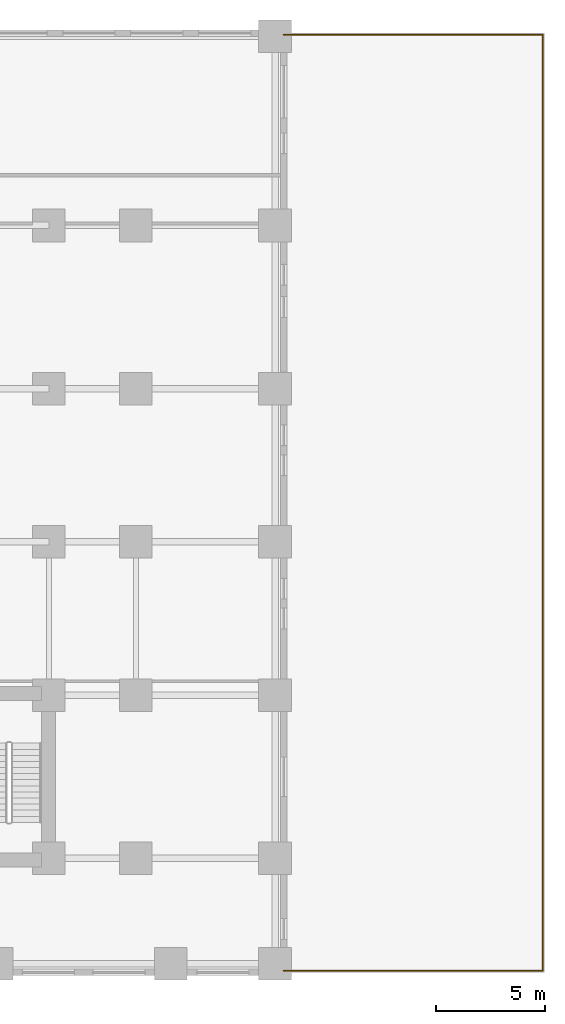
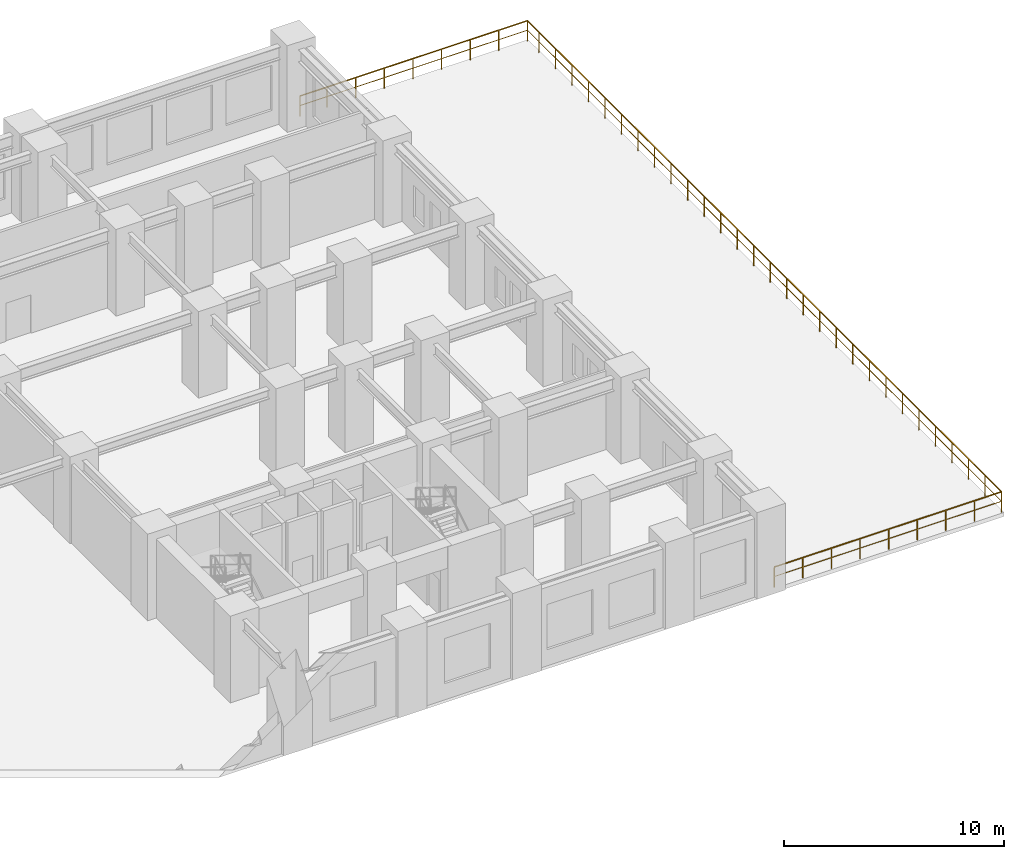
# One storey, part 10 of 10: 3 railings.
"""IFC4 building model written with IfcOpenShell, lengths in metres."""

from ifc_helpers import new_model, si_unit, direction, frame, origin, origin_2d, place, context, subcontext, project, spatial, rectangle, extrude, material, type_object, element, save


model = new_model("IFC4")

# Units and contexts
model_context = context("Model", 3, precision=1e-05, world=origin(), true_north=direction((0.0, 1.0)))
body_context = subcontext(model_context, "Body", "Model", "MODEL_VIEW")
ifc_project = project(units=[si_unit("LENGTHUNIT", "METRE"), si_unit("AREAUNIT", "SQUARE_METRE"), si_unit("VOLUMEUNIT", "CUBIC_METRE"), si_unit("PLANEANGLEUNIT", "RADIAN"), si_unit("MASSUNIT", "GRAM", prefix="KILO")], contexts=[model_context])

# Site, building, storey
site_placement = place(None, origin())
site = spatial("IfcSite", under=ifc_project, at=site_placement, CompositionType="ELEMENT")
building_placement = place(site_placement, origin())
building = spatial("IfcBuilding", under=site, at=building_placement, Name="Kaliganga Portal Commons", CompositionType="ELEMENT")
storey_placement = place(building_placement, frame((0.0, 0.0, 15.0)))
storey = spatial("IfcBuildingStorey", under=building, at=storey_placement, Name="L03", CompositionType="ELEMENT", Elevation=15.0)

# Railings
ifc_material = material(Name="Laminated Safety Glass and Stainless Steel 316", Category="steel")
railing_type = type_object("IfcRailingType", Name="RLG-BAL-1150", PredefinedType="BALUSTRADE", material=ifc_material)
railing_1_placement = place(storey_placement, frame((61.199951171875, 1.8798828125, 0.0)))
element("IfcRailing", 1, at=railing_1_placement, inside=storey, type_object=railing_type, Name="Terrace Guardrail L03 east_podium_terrace-01-1", PredefinedType="BALUSTRADE", context=body_context, shape_type="SweptSolid", body=[
    extrude(rectangle(XDim=0.048095703125, YDim=0.048095703125, at=origin_2d()), frame((0.0, 0.0, 1.1259765625), z_axis=(1.0, 0.0, 0.0), x_axis=(0.0, 1.0, 0.0)), (0.0, 0.0, 1.0), 11.920166015625),
    extrude(rectangle(XDim=0.028076171875, YDim=0.028076171875, at=origin_2d()), frame((0.0, 0.0, 0.597900390625), z_axis=(1.0, 0.0, 0.0), x_axis=(0.0, 1.0, 0.0)), (0.0, 0.0, 1.0), 11.920166015625),
    extrude(rectangle(XDim=0.0419921875, YDim=0.0419921875, at=origin_2d()), origin(), (0.0, 0.0, 1.0), 1.101806640625),
    extrude(rectangle(XDim=0.0419921875, YDim=0.0419921875, at=origin_2d()), frame((1.5, 0.0, 0.0)), (0.0, 0.0, 1.0), 1.101806640625),
    extrude(rectangle(XDim=0.0419921875, YDim=0.0419921875, at=origin_2d()), frame((3.0, 0.0, 0.0)), (0.0, 0.0, 1.0), 1.101806640625),
    extrude(rectangle(XDim=0.0419921875, YDim=0.0419921875, at=origin_2d()), frame((4.5, 0.0, 0.0)), (0.0, 0.0, 1.0), 1.101806640625),
    extrude(rectangle(XDim=0.0419921875, YDim=0.0419921875, at=origin_2d()), frame((6.0, 0.0, 0.0)), (0.0, 0.0, 1.0), 1.101806640625),
    extrude(rectangle(XDim=0.0419921875, YDim=0.0419921875, at=origin_2d()), frame((7.5, 0.0, 0.0)), (0.0, 0.0, 1.0), 1.101806640625),
    extrude(rectangle(XDim=0.0419921875, YDim=0.0419921875, at=origin_2d()), frame((9.0, 0.0, 0.0)), (0.0, 0.0, 1.0), 1.101806640625),
    extrude(rectangle(XDim=0.0419921875, YDim=0.0419921875, at=origin_2d()), frame((10.5, 0.0, 0.0)), (0.0, 0.0, 1.0), 1.101806640625),
    extrude(rectangle(XDim=0.0419921875, YDim=0.0419921875, at=origin_2d()), frame((11.920166015625, 0.0, 0.0)), (0.0, 0.0, 1.0), 1.101806640625),
])
railing_2_placement = place(storey_placement, frame((73.1201171875, 1.8798828125, 0.0)))
element("IfcRailing", 2, at=railing_2_placement, inside=storey, type_object=railing_type, Name="Terrace Guardrail L03 east_podium_terrace-02-1", PredefinedType="BALUSTRADE", context=body_context, shape_type="SweptSolid", body=[
    extrude(rectangle(XDim=0.048095703125, YDim=0.048095703125, at=origin_2d()), frame((0.0, 0.0, 1.1259765625), z_axis=(0.0, 1.0, 0.0), x_axis=(-1.0, 0.0, 0.0)), (0.0, 0.0, 1.0), 43.0400390625),
    extrude(rectangle(XDim=0.028076171875, YDim=0.028076171875, at=origin_2d()), frame((0.0, 0.0, 0.597900390625), z_axis=(0.0, 1.0, 0.0), x_axis=(-1.0, 0.0, 0.0)), (0.0, 0.0, 1.0), 43.0400390625),
    extrude(rectangle(XDim=0.0419921875, YDim=0.0419921875, at=origin_2d()), origin(), (0.0, 0.0, 1.0), 1.101806640625),
    extrude(rectangle(XDim=0.0419921875, YDim=0.0419921875, at=origin_2d()), frame((0.0, 1.5, 0.0)), (0.0, 0.0, 1.0), 1.101806640625),
    extrude(rectangle(XDim=0.0419921875, YDim=0.0419921875, at=origin_2d()), frame((0.0, 3.0, 0.0)), (0.0, 0.0, 1.0), 1.101806640625),
    extrude(rectangle(XDim=0.0419921875, YDim=0.0419921875, at=origin_2d()), frame((0.0, 4.5, 0.0)), (0.0, 0.0, 1.0), 1.101806640625),
    extrude(rectangle(XDim=0.0419921875, YDim=0.0419921875, at=origin_2d()), frame((0.0, 6.0, 0.0)), (0.0, 0.0, 1.0), 1.101806640625),
    extrude(rectangle(XDim=0.0419921875, YDim=0.0419921875, at=origin_2d()), frame((0.0, 7.5, 0.0)), (0.0, 0.0, 1.0), 1.101806640625),
    extrude(rectangle(XDim=0.0419921875, YDim=0.0419921875, at=origin_2d()), frame((0.0, 9.0, 0.0)), (0.0, 0.0, 1.0), 1.101806640625),
    extrude(rectangle(XDim=0.0419921875, YDim=0.0419921875, at=origin_2d()), frame((0.0, 10.5, 0.0)), (0.0, 0.0, 1.0), 1.101806640625),
    extrude(rectangle(XDim=0.0419921875, YDim=0.0419921875, at=origin_2d()), frame((0.0, 12.0, 0.0)), (0.0, 0.0, 1.0), 1.101806640625),
    extrude(rectangle(XDim=0.0419921875, YDim=0.0419921875, at=origin_2d()), frame((0.0, 13.5, 0.0)), (0.0, 0.0, 1.0), 1.101806640625),
    extrude(rectangle(XDim=0.0419921875, YDim=0.0419921875, at=origin_2d()), frame((0.0, 15.0, 0.0)), (0.0, 0.0, 1.0), 1.101806640625),
    extrude(rectangle(XDim=0.0419921875, YDim=0.0419921875, at=origin_2d()), frame((0.0, 16.5, 0.0)), (0.0, 0.0, 1.0), 1.101806640625),
    extrude(rectangle(XDim=0.0419921875, YDim=0.0419921875, at=origin_2d()), frame((0.0, 18.0, 0.0)), (0.0, 0.0, 1.0), 1.101806640625),
    extrude(rectangle(XDim=0.0419921875, YDim=0.0419921875, at=origin_2d()), frame((0.0, 19.5, 0.0)), (0.0, 0.0, 1.0), 1.101806640625),
    extrude(rectangle(XDim=0.0419921875, YDim=0.0419921875, at=origin_2d()), frame((0.0, 21.0, 0.0)), (0.0, 0.0, 1.0), 1.101806640625),
    extrude(rectangle(XDim=0.0419921875, YDim=0.0419921875, at=origin_2d()), frame((0.0, 22.5, 0.0)), (0.0, 0.0, 1.0), 1.101806640625),
    extrude(rectangle(XDim=0.0419921875, YDim=0.0419921875, at=origin_2d()), frame((0.0, 24.0, 0.0)), (0.0, 0.0, 1.0), 1.101806640625),
    extrude(rectangle(XDim=0.0419921875, YDim=0.0419921875, at=origin_2d()), frame((0.0, 25.5, 0.0)), (0.0, 0.0, 1.0), 1.101806640625),
    extrude(rectangle(XDim=0.0419921875, YDim=0.0419921875, at=origin_2d()), frame((0.0, 27.0, 0.0)), (0.0, 0.0, 1.0), 1.101806640625),
    extrude(rectangle(XDim=0.0419921875, YDim=0.0419921875, at=origin_2d()), frame((0.0, 28.5, 0.0)), (0.0, 0.0, 1.0), 1.101806640625),
    extrude(rectangle(XDim=0.0419921875, YDim=0.0419921875, at=origin_2d()), frame((0.0, 30.0, 0.0)), (0.0, 0.0, 1.0), 1.101806640625),
    extrude(rectangle(XDim=0.0419921875, YDim=0.0419921875, at=origin_2d()), frame((0.0, 31.5, 0.0)), (0.0, 0.0, 1.0), 1.101806640625),
    extrude(rectangle(XDim=0.0419921875, YDim=0.0419921875, at=origin_2d()), frame((0.0, 33.0, 0.0)), (0.0, 0.0, 1.0), 1.101806640625),
    extrude(rectangle(XDim=0.0419921875, YDim=0.0419921875, at=origin_2d()), frame((0.0, 34.5, 0.0)), (0.0, 0.0, 1.0), 1.101806640625),
    extrude(rectangle(XDim=0.0419921875, YDim=0.0419921875, at=origin_2d()), frame((0.0, 36.0, 0.0)), (0.0, 0.0, 1.0), 1.101806640625),
    extrude(rectangle(XDim=0.0419921875, YDim=0.0419921875, at=origin_2d()), frame((0.0, 37.5, 0.0)), (0.0, 0.0, 1.0), 1.101806640625),
    extrude(rectangle(XDim=0.0419921875, YDim=0.0419921875, at=origin_2d()), frame((0.0, 39.0, 0.0)), (0.0, 0.0, 1.0), 1.101806640625),
    extrude(rectangle(XDim=0.0419921875, YDim=0.0419921875, at=origin_2d()), frame((0.0, 40.5, 0.0)), (0.0, 0.0, 1.0), 1.101806640625),
    extrude(rectangle(XDim=0.0419921875, YDim=0.0419921875, at=origin_2d()), frame((0.0, 42.0, 0.0)), (0.0, 0.0, 1.0), 1.101806640625),
    extrude(rectangle(XDim=0.0419921875, YDim=0.0419921875, at=origin_2d()), frame((0.0, 43.0400390625, 0.0)), (0.0, 0.0, 1.0), 1.101806640625),
])
railing_3_placement = place(storey_placement, frame((73.1201171875, 44.919921875, 0.0)))
element("IfcRailing", 3, at=railing_3_placement, inside=storey, type_object=railing_type, Name="Terrace Guardrail L03 east_podium_terrace-03-1", PredefinedType="BALUSTRADE", context=body_context, shape_type="SweptSolid", body=[
    extrude(rectangle(XDim=0.048095703125, YDim=0.048095703125, at=origin_2d()), frame((0.0, 0.0, 1.1259765625), z_axis=(-1.0, 0.0, 0.0), x_axis=(0.0, -1.0, 0.0)), (0.0, 0.0, 1.0), 11.920166015625),
    extrude(rectangle(XDim=0.028076171875, YDim=0.028076171875, at=origin_2d()), frame((0.0, 0.0, 0.597900390625), z_axis=(-1.0, 0.0, 0.0), x_axis=(0.0, -1.0, 0.0)), (0.0, 0.0, 1.0), 11.920166015625),
    extrude(rectangle(XDim=0.0419921875, YDim=0.0419921875, at=origin_2d()), origin(), (0.0, 0.0, 1.0), 1.101806640625),
    extrude(rectangle(XDim=0.0419921875, YDim=0.0419921875, at=origin_2d()), frame((-1.5, 0.0, 0.0)), (0.0, 0.0, 1.0), 1.101806640625),
    extrude(rectangle(XDim=0.0419921875, YDim=0.0419921875, at=origin_2d()), frame((-3.0, 0.0, 0.0)), (0.0, 0.0, 1.0), 1.101806640625),
    extrude(rectangle(XDim=0.0419921875, YDim=0.0419921875, at=origin_2d()), frame((-4.5, 0.0, 0.0)), (0.0, 0.0, 1.0), 1.101806640625),
    extrude(rectangle(XDim=0.0419921875, YDim=0.0419921875, at=origin_2d()), frame((-6.0, 0.0, 0.0)), (0.0, 0.0, 1.0), 1.101806640625),
    extrude(rectangle(XDim=0.0419921875, YDim=0.0419921875, at=origin_2d()), frame((-7.5, 0.0, 0.0)), (0.0, 0.0, 1.0), 1.101806640625),
    extrude(rectangle(XDim=0.0419921875, YDim=0.0419921875, at=origin_2d()), frame((-9.0, 0.0, 0.0)), (0.0, 0.0, 1.0), 1.101806640625),
    extrude(rectangle(XDim=0.0419921875, YDim=0.0419921875, at=origin_2d()), frame((-10.5, 0.0, 0.0)), (0.0, 0.0, 1.0), 1.101806640625),
    extrude(rectangle(XDim=0.0419921875, YDim=0.0419921875, at=origin_2d()), frame((-11.920166015625, 0.0, 0.0)), (0.0, 0.0, 1.0), 1.101806640625),
])

save(model, "model.ifc")
